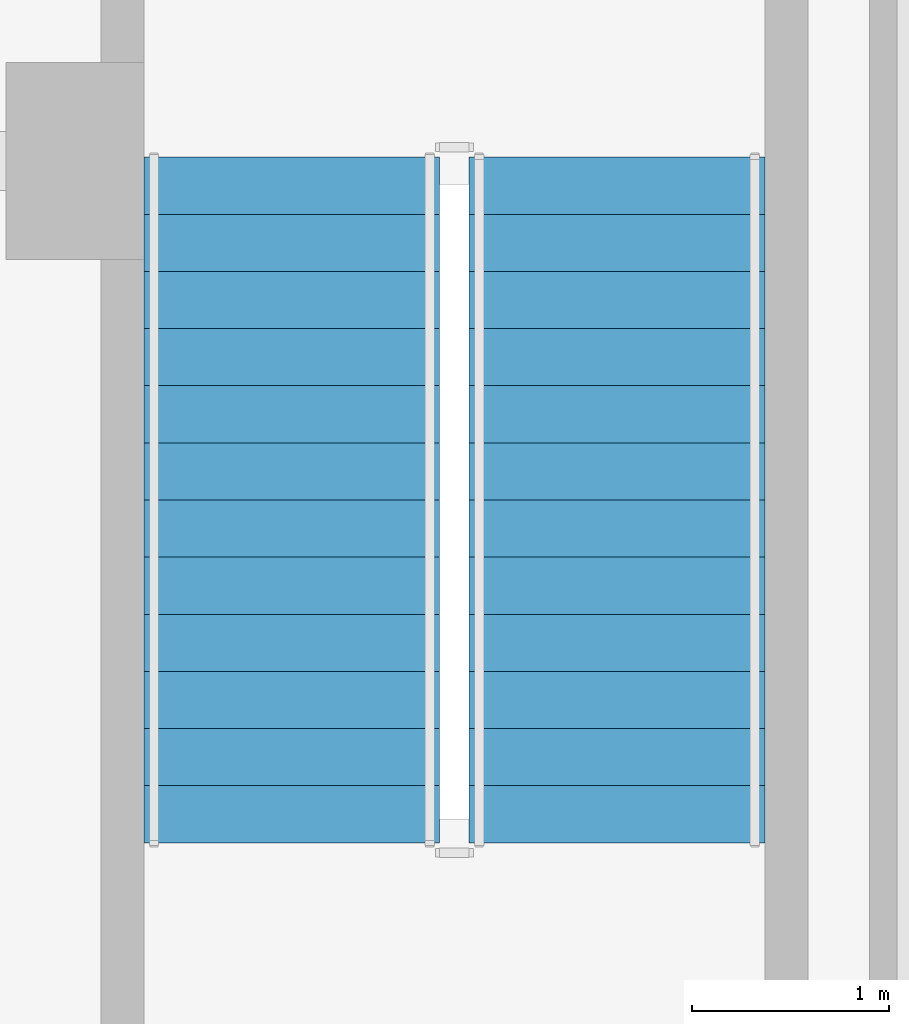
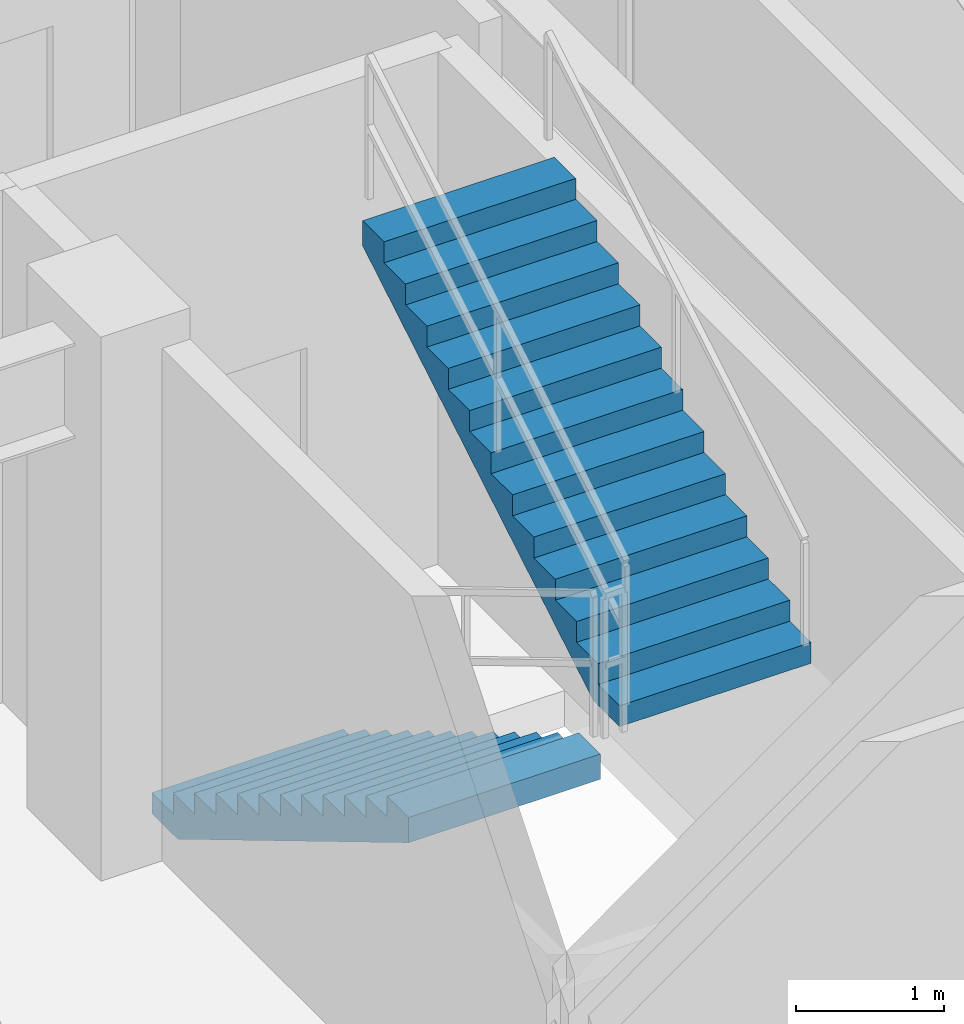
# One storey, part 24 of 27: 2 stair flights, 1 element without a shape of its own.
"""IFC4 building model written with IfcOpenShell, lengths in metres."""

import ifcopenshell
import ifcopenshell.guid

model = None  # the IFC model being written
_history = None  # IfcOwnerHistory: only IFC2X3 demands one
_inside = {}  # id of a spatial element -> (the spatial element, [elements in it])
_under = {}  # id of a project, library or spatial element -> (it, [spatial elements below it])
_declared = {}  # id of a project -> (the project, [libraries it declares])
_typed = {}  # id of a type object -> (the type object, [elements of that type])
_made_of = {}  # id of a material, layer set ... -> (it, [elements and type objects made of it])


def new_model(schema):
    """Start an empty IFC model of exactly this schema.

    Asked for "IFC4X3", IfcOpenShell would pick the latest addendum, in which some entities
    have other attributes; the version numbers below select the first issue.
    IFC2X3 requires an IfcOwnerHistory on every rooted entity: one is made here for all.
    """
    global model, _history
    if schema == "IFC4X3":
        model = ifcopenshell.file(schema_version=(4, 3, 0, 0))
    else:
        model = ifcopenshell.file(schema=schema)
    _inside.clear()
    _under.clear()
    _declared.clear()
    _typed.clear()
    _made_of.clear()
    _history = None
    if model.schema == "IFC2X3":
        org = make("IfcOrganization", Name="unknown")
        user = make(
            "IfcPersonAndOrganization",
            ThePerson=make("IfcPerson", FamilyName="unknown"),
            TheOrganization=org,
        )
        app = make(
            "IfcApplication",
            ApplicationDeveloper=org,
            Version="unknown",
            ApplicationFullName="unknown",
            ApplicationIdentifier="unknown",
        )
        _history = make(
            "IfcOwnerHistory",
            OwningUser=user,
            OwningApplication=app,
            ChangeAction="ADDED",
            CreationDate=0,
        )
    return model


def make(cls, **values):
    """One entity of the class cls with the attributes given. An attribute that is None is left unset."""
    return model.create_entity(
        cls, **{name: value for name, value in values.items() if value is not None}
    )


def rooted(cls, **values):
    """An entity with a GlobalId (a new one), such as an element, a storey or a relation."""
    return make(cls, GlobalId=ifcopenshell.guid.new(), OwnerHistory=_history, **values)


def si_unit(unit_type, name, prefix=None):
    """IfcSIUnit, for example si_unit("LENGTHUNIT", "METRE", prefix="MILLI")."""
    return make("IfcSIUnit", UnitType=unit_type, Prefix=prefix, Name=name)


def assignment(units):
    """IfcUnitAssignment: the units of a project."""
    return None if units is None else make("IfcUnitAssignment", Units=units)


def point(xyz):
    """IfcCartesianPoint."""
    return None if xyz is None else make("IfcCartesianPoint", Coordinates=xyz)


def direction(xyz):
    """IfcDirection."""
    return None if xyz is None else make("IfcDirection", DirectionRatios=xyz)


def frame(location, z_axis=None, x_axis=None):
    """IfcAxis2Placement3D, a coordinate frame: its origin and axes. An axis left out is left unset."""
    return make(
        "IfcAxis2Placement3D",
        Location=point(location),
        Axis=direction(z_axis),
        RefDirection=direction(x_axis),
    )


def origin():
    """The frame at (0, 0, 0) with its axes left unset."""
    return frame((0.0, 0.0, 0.0))


def place(relative_to, where):
    """IfcLocalPlacement: puts the frame where relative to a parent placement (None: the world)."""
    return make(
        "IfcLocalPlacement", PlacementRelTo=relative_to, RelativePlacement=where
    )


def context(
    kind, dimensions, precision=None, world=None, true_north=None, identifier=None
):
    """IfcGeometricRepresentationContext, for example the 3D "Model" context."""
    return make(
        "IfcGeometricRepresentationContext",
        ContextIdentifier=identifier,
        ContextType=kind,
        CoordinateSpaceDimension=dimensions,
        Precision=precision,
        WorldCoordinateSystem=world,
        TrueNorth=true_north,
    )


def subcontext(parent, identifier, kind, view, scale=None):
    """IfcGeometricRepresentationSubContext, for example "Body" below "Model"."""
    return make(
        "IfcGeometricRepresentationSubContext",
        ContextIdentifier=identifier,
        ContextType=kind,
        ParentContext=parent,
        TargetScale=scale,
        TargetView=view,
    )


def project(units=None, contexts=None):
    """IfcProject with its units and contexts."""
    return rooted(
        "IfcProject",
        Name="project",
        RepresentationContexts=contexts,
        UnitsInContext=assignment(units),
    )


def spatial(cls, under=None, at=None, **own):
    """A site, building, storey or space (cls), placed at a placement, below another one or the project."""
    s = rooted(cls, ObjectPlacement=at, **own)
    if under is not None:
        _under.setdefault(under.id(), (under, []))[1].append(s)
    return s


def polyline(points):
    """IfcPolyline through the points."""
    return make("IfcPolyline", Points=[point(p) for p in points])


def outline(outer, holes=None, kind="AREA"):
    """IfcArbitraryClosedProfileDef: a profile drawn as a closed curve; with holes, ...WithVoids."""
    if holes is None:
        return make("IfcArbitraryClosedProfileDef", ProfileType=kind, OuterCurve=outer)
    return make(
        "IfcArbitraryProfileDefWithVoids",
        ProfileType=kind,
        OuterCurve=outer,
        InnerCurves=holes,
    )


def extrude(swept, where, along, depth):
    """IfcExtrudedAreaSolid: the profile swept, set in the frame where, extruded along a direction by depth."""
    return make(
        "IfcExtrudedAreaSolid",
        SweptArea=swept,
        Position=where,
        ExtrudedDirection=direction(along),
        Depth=depth,
    )


def shape(context_of_items, identifier, shape_type, items):
    """IfcShapeRepresentation: the items that make up one representation, for example the "Body"."""
    return make(
        "IfcShapeRepresentation",
        ContextOfItems=context_of_items,
        RepresentationIdentifier=identifier,
        RepresentationType=shape_type,
        Items=items,
    )


def material(Name=None, Category=None):
    """IfcMaterial."""
    return make("IfcMaterial", Name=Name, Category=Category)


def made_of(thing, what):
    """Note that an element or type object is made of a material, layer set ...; save() writes the relation."""
    if what is not None:
        _made_of.setdefault(what.id(), (what, []))[1].append(thing)
    return thing


def type_object(cls, material=None, **own):
    """A type object (cls), such as IfcWallType, which elements share."""
    return made_of(rooted(cls, **own), material)


def element(
    cls,
    number,
    at=None,
    inside=None,
    cuts=None,
    type_object=None,
    material=None,
    context=None,
    identifier="Body",
    shape_type=None,
    held_by="IfcProductDefinitionShape",
    body=None,
    shapes=None,
    **own,
):
    """One element of the class cls, such as IfcWall. Its Tag is "e" and its number.

    at: its placement. inside: the storey or other place that contains it. cuts: it is an
    opening in that element (IfcRelVoidsElement). A single representation is given by context,
    identifier, shape_type and body (its items); several are given by shapes. held_by: the class
    of the entity that holds the representations. save() writes the other relations.
    """
    e = rooted(cls, Tag="e%d" % number, ObjectPlacement=at, **own)
    if body is not None:
        shapes = [shape(context, identifier, shape_type, body)]
    if shapes is not None:
        e.Representation = make(held_by, Representations=shapes)
    if inside is not None:
        _inside.setdefault(inside.id(), (inside, []))[1].append(e)
    if cuts is not None:
        rooted(
            "IfcRelVoidsElement", RelatingBuildingElement=cuts, RelatedOpeningElement=e
        )
    if type_object is not None:
        _typed.setdefault(type_object.id(), (type_object, []))[1].append(e)
    return made_of(e, material)


def aggregate(whole, parts):
    """IfcRelAggregates: a whole, such as a stair, and the parts it consists of."""
    return rooted("IfcRelAggregates", RelatingObject=whole, RelatedObjects=parts)


def save(model, path):
    """Write the relations noted so far, then the file.

    IfcRelAggregates (storeys below a building ...), IfcRelContainedInSpatialStructure (elements
    in a storey), IfcRelDefinesByType, IfcRelAssociatesMaterial and IfcRelDeclares: one each for
    every whole, place, type object, material and project.
    """
    for whole, parts in _under.values():
        aggregate(whole, parts)
    for where, things in _inside.values():
        rooted(
            "IfcRelContainedInSpatialStructure",
            RelatedElements=things,
            RelatingStructure=where,
        )
    for kind, things in _typed.values():
        rooted("IfcRelDefinesByType", RelatedObjects=things, RelatingType=kind)
    for what, things in _made_of.values():
        rooted("IfcRelAssociatesMaterial", RelatedObjects=things, RelatingMaterial=what)
    for by, libraries in _declared.values():
        rooted("IfcRelDeclares", RelatingContext=by, RelatedDefinitions=libraries)
    model.write(path)


model = new_model("IFC4")

# Units and contexts
model_context = context("Model", 3, precision=1e-05, world=origin(), true_north=direction((0.0, 1.0)))
body_context = subcontext(model_context, "Body", "Model", "MODEL_VIEW")
ifc_project = project(units=[si_unit("LENGTHUNIT", "METRE"), si_unit("AREAUNIT", "SQUARE_METRE"), si_unit("VOLUMEUNIT", "CUBIC_METRE"), si_unit("PLANEANGLEUNIT", "RADIAN"), si_unit("MASSUNIT", "GRAM", prefix="KILO")], contexts=[model_context])

# Site, building, storey
site_placement = place(None, origin())
site = spatial("IfcSite", under=ifc_project, at=site_placement, CompositionType="ELEMENT")
building_placement = place(site_placement, origin())
building = spatial("IfcBuilding", under=site, at=building_placement, Name="Vorneva Point Tower", CompositionType="ELEMENT")
storey_placement = place(building_placement, frame((0.0, 0.0, 229.75)))
storey = spatial("IfcBuildingStorey", under=building, at=storey_placement, Name="L62", CompositionType="ELEMENT", Elevation=229.75)

# Stair, stair flights
ifc_material = material(Name="Concrete B50 (C40/50)", Category="concrete")
stair_type = type_object("IfcStairType", Name="ST-DOG-1500", PredefinedType="HALF_TURN_STAIR", material=ifc_material)
stair_placement = place(storey_placement, origin())
stair = element("IfcStair", 1, at=stair_placement, inside=storey, type_object=stair_type, Name="L62 ST2", PredefinedType="HALF_TURN_STAIR")
stair_flight_type = type_object("IfcStairFlightType", Name="STF-1500", PredefinedType="STRAIGHT", material=ifc_material)
stair_flight_1_placement = place(storey_placement, frame((45.550048828125, 22.219970703125, 0.0), z_axis=(0.0, 0.0, 1.0), x_axis=(0.0, -1.0, 0.0)))
stair_flight_1 = element("IfcStairFlight", 2, at=stair_flight_1_placement, type_object=stair_flight_type, Name="ST2 flight 1", NumberOfRisers=13, NumberOfTreads=12, PredefinedType="STRAIGHT", RiserHeight=0.173076923, TreadLength=0.29, context=body_context, shape_type="SweptSolid", body=[
    extrude(outline(polyline([(0.0, 0.0), (0.0, 0.173095703125), (0.2900390625, 0.173095703125), (0.2900390625, 0.34619140625), (0.580078125, 0.34619140625), (0.580078125, 0.519287109375), (0.8701171875, 0.519287109375), (0.8701171875, 0.6923828125), (1.159912109375, 0.6923828125), (1.159912109375, 0.865478515625), (1.449951171875, 0.865478515625), (1.449951171875, 1.03857421875), (1.739990234375, 1.03857421875), (1.739990234375, 1.21142578125), (2.030029296875, 1.21142578125), (2.030029296875, 1.384521484375), (2.320068359375, 1.384521484375), (2.320068359375, 1.5576171875), (2.610107421875, 1.5576171875), (2.610107421875, 1.730712890625), (2.89990234375, 1.730712890625), (2.89990234375, 1.90380859375), (3.18994140625, 1.90380859375), (3.18994140625, 2.076904296875), (3.47998046875, 2.076904296875), (3.47998046875, 2.25), (3.47998046875, 1.867431640625), (0.35107421875, 0.0), (0.0, 0.0)])), frame((0.0, 0.75, 0.0), z_axis=(0.0, -1.0, 0.0), x_axis=(1.0, 0.0, 0.0)), (0.0, 0.0, 1.0), 1.5),
])
stair_flight_2_placement = place(storey_placement, frame((47.199951171875, 18.739990234375, 2.25), z_axis=(0.0, 0.0, 1.0), x_axis=(0.0, 1.0, 0.0)))
stair_flight_2 = element("IfcStairFlight", 3, at=stair_flight_2_placement, type_object=stair_flight_type, Name="ST2 flight 2", NumberOfRisers=13, NumberOfTreads=12, PredefinedType="STRAIGHT", RiserHeight=0.173076923, TreadLength=0.29, context=body_context, shape_type="SweptSolid", body=[
    extrude(outline(polyline([(0.0, 0.0), (0.0, 0.173095703125), (0.2900390625, 0.173095703125), (0.2900390625, 0.34619140625), (0.580078125, 0.34619140625), (0.580078125, 0.519287109375), (0.8701171875, 0.519287109375), (0.8701171875, 0.6923828125), (1.159912109375, 0.6923828125), (1.159912109375, 0.865478515625), (1.449951171875, 0.865478515625), (1.449951171875, 1.03857421875), (1.739990234375, 1.03857421875), (1.739990234375, 1.21142578125), (2.030029296875, 1.21142578125), (2.030029296875, 1.384521484375), (2.320068359375, 1.384521484375), (2.320068359375, 1.5576171875), (2.610107421875, 1.5576171875), (2.610107421875, 1.730712890625), (2.89990234375, 1.730712890625), (2.89990234375, 1.90380859375), (3.18994140625, 1.90380859375), (3.18994140625, 2.076904296875), (3.47998046875, 2.076904296875), (3.47998046875, 2.25), (3.47998046875, 1.867431640625), (0.35107421875, 0.0), (0.0, 0.0)])), frame((0.0, 0.75, 0.0), z_axis=(0.0, -1.0, 0.0), x_axis=(1.0, 0.0, 0.0)), (0.0, 0.0, 1.0), 1.5),
])
aggregate(stair, [stair_flight_1, stair_flight_2])

save(model, "model.ifc")
